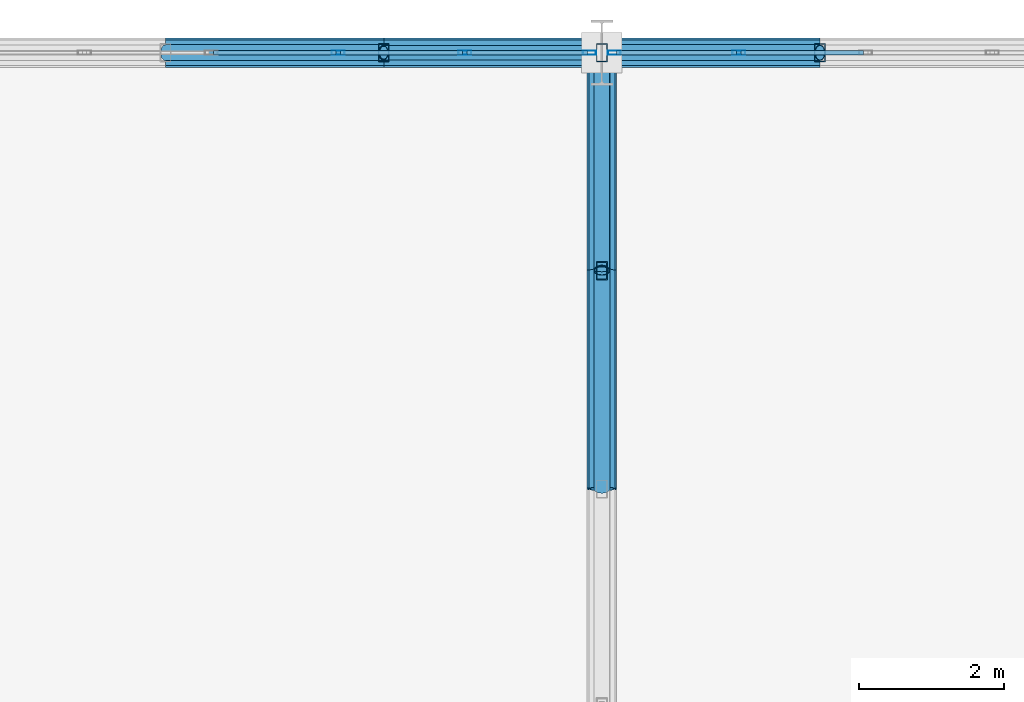
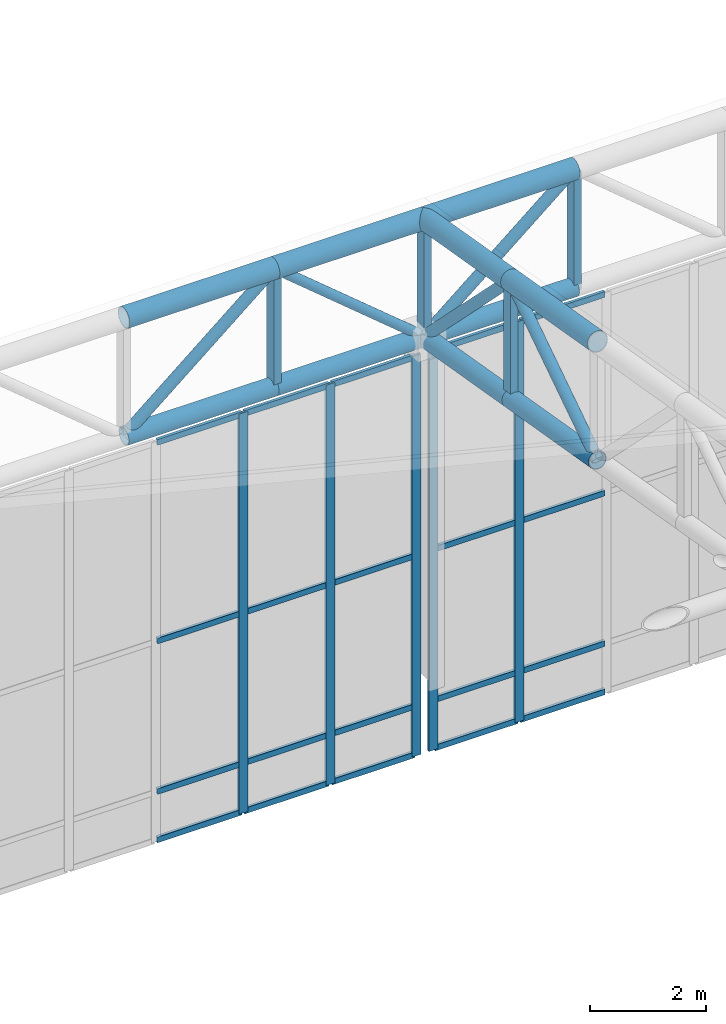
# One storey, part 134 of 239: 44 members, 2 elements without a shape of their own.
"""IFC4 building model written with IfcOpenShell, lengths in metres."""

from ifc_helpers import new_model, si_unit, direction, frame, origin, origin_2d, place, context, subcontext, project, spatial, hollow_rectangle, hollow_circle, extrude, material, material_profile, profile_set, type_object, element, aggregate, save


model = new_model("IFC4")

# Units and contexts
model_context = context("Model", 3, precision=1e-05, world=origin(), true_north=direction((0.0, 1.0)))
body_context = subcontext(model_context, "Body", "Model", "MODEL_VIEW")
ifc_project = project(units=[si_unit("LENGTHUNIT", "METRE"), si_unit("AREAUNIT", "SQUARE_METRE"), si_unit("VOLUMEUNIT", "CUBIC_METRE"), si_unit("PLANEANGLEUNIT", "RADIAN"), si_unit("MASSUNIT", "GRAM", prefix="KILO")], contexts=[model_context])

# Site, building, storey
site_placement = place(None, origin())
site = spatial("IfcSite", under=ifc_project, at=site_placement, CompositionType="ELEMENT")
building_placement = place(site_placement, origin())
building = spatial("IfcBuilding", under=site, at=building_placement, Name="Kaldris Quays Convention Centre", CompositionType="ELEMENT")
storey_placement = place(building_placement, frame((0.0, 0.0, 11.39990234375)))
storey = spatial("IfcBuildingStorey", under=building, at=storey_placement, Name="L02", CompositionType="ELEMENT", Elevation=11.39990234375)

# Curtain wall, members
ifc_material_1 = material(Name="Anodized aluminium AW-6060 and triple glazing", Category="aluminium")
curtain_wall_type = type_object("IfcCurtainWallType", Name="UNITISED CURTAIN WALL CW03", PredefinedType="NOTDEFINED", material=ifc_material_1)
curtain_wall_1_placement = place(storey_placement, origin())
curtain_wall_1 = element("IfcCurtainWall", 1, at=curtain_wall_1_placement, inside=storey, type_object=curtain_wall_type, Name="L02 Unitised Curtain Wall CW03 250", PredefinedType="NOTDEFINED")
ifc_material_2 = material(Name="Anodized aluminium AW-6060", Category="aluminium")
ifc_material_profile_1 = material_profile(ifc_material_2, hollow_rectangle(XDim=0.06005859375, YDim=0.179931640625, WallThickness=0.0048828125, at=origin_2d()), Name="RHS 180x60x5")
ifc_profile_set_1 = profile_set([ifc_material_profile_1], Name="Anodized aluminium AW-6060")
member_type_1 = type_object("IfcMemberType", Name="CURTAIN MULLION CWM2", PredefinedType="MULLION", material=ifc_profile_set_1)
member_1_placement = place(storey_placement, frame((124.3720703125, 140.0, -1.60498046875), z_axis=(0.0, 0.0, 1.0), x_axis=(0.0, 1.0, 0.0)))
member_1 = element("IfcMember", 2, at=member_1_placement, type_object=member_type_1, Name="CW03 mullion 4", PredefinedType="MULLION", context=body_context, shape_type="SweptSolid", body=[
    extrude(hollow_rectangle(XDim=0.06005859375, YDim=0.179931640625, WallThickness=0.0048828125, at=origin_2d()), origin(), (0.0, 0.0, 1.0), 8.455078125),
])
member_2_placement = place(storey_placement, frame((126.115966796875, 140.0, -1.60498046875), z_axis=(0.0, 0.0, 1.0), x_axis=(0.0, 1.0, 0.0)))
member_2 = element("IfcMember", 3, at=member_2_placement, type_object=member_type_1, Name="CW03 mullion 5", PredefinedType="MULLION", context=body_context, shape_type="SweptSolid", body=[
    extrude(hollow_rectangle(XDim=0.06005859375, YDim=0.179931640625, WallThickness=0.0048828125, at=origin_2d()), origin(), (0.0, 0.0, 1.0), 8.455078125),
])
member_3_placement = place(storey_placement, frame((127.830078125, 140.0, -1.60498046875), z_axis=(0.0, 0.0, 1.0), x_axis=(0.0, 1.0, 0.0)))
member_3 = element("IfcMember", 4, at=member_3_placement, type_object=member_type_1, Name="CW03 mullion 6", PredefinedType="MULLION", context=body_context, shape_type="SweptSolid", body=[
    extrude(hollow_rectangle(XDim=0.06005859375, YDim=0.179931640625, WallThickness=0.0048828125, at=origin_2d()), origin(), (0.0, 0.0, 1.0), 8.455078125),
])

curtain_wall_2_placement = place(storey_placement, origin())
curtain_wall_2 = element("IfcCurtainWall", 5, at=curtain_wall_2_placement, inside=storey, type_object=curtain_wall_type, Name="L02 Unitised Curtain Wall CW03 252", PredefinedType="NOTDEFINED")
member_4_placement = place(storey_placement, frame((128.169921875, 140.0, -1.60498046875), z_axis=(0.0, 0.0, 1.0), x_axis=(0.0, 1.0, 0.0)))
member_4 = element("IfcMember", 6, at=member_4_placement, type_object=member_type_1, Name="CW03 mullion 1", PredefinedType="MULLION", context=body_context, shape_type="SweptSolid", body=[
    extrude(hollow_rectangle(XDim=0.06005859375, YDim=0.179931640625, WallThickness=0.0048828125, at=origin_2d()), origin(), (0.0, 0.0, 1.0), 8.455078125),
])
member_5_placement = place(storey_placement, frame((129.884033203125, 140.0, -1.60498046875), z_axis=(0.0, 0.0, 1.0), x_axis=(0.0, 1.0, 0.0)))
member_5 = element("IfcMember", 7, at=member_5_placement, type_object=member_type_1, Name="CW03 mullion 2", PredefinedType="MULLION", context=body_context, shape_type="SweptSolid", body=[
    extrude(hollow_rectangle(XDim=0.06005859375, YDim=0.179931640625, WallThickness=0.0048828125, at=origin_2d()), origin(), (0.0, 0.0, 1.0), 8.455078125),
])

# Member
ifc_material_profile_2 = material_profile(ifc_material_2, hollow_rectangle(XDim=0.06005859375, YDim=0.1201171875, WallThickness=0.00390625, at=origin_2d()), Name="RHS 120x60x4")
ifc_profile_set_2 = profile_set([ifc_material_profile_2], Name="Anodized aluminium AW-6060")
member_type_2 = type_object("IfcMemberType", Name="CURTAIN TRANSOM CWT1", PredefinedType="USERDEFINED", material=ifc_profile_set_2)
member_6_placement = place(storey_placement, frame((122.657958984375, 140.0, -1.574951171875), z_axis=(1.0, 0.0, 0.0), x_axis=(0.0, 1.0, 0.0)))
member_6 = element("IfcMember", 8, at=member_6_placement, type_object=member_type_2, Name="CW03 transom 3.1", ObjectType="TRANSOM", PredefinedType="USERDEFINED", context=body_context, shape_type="SweptSolid", body=[
    extrude(hollow_rectangle(XDim=0.06005859375, YDim=0.1201171875, WallThickness=0.00390625, at=origin_2d()), origin(), (0.0, 0.0, 1.0), 1.68408203125),
])

member_7_placement = place(storey_placement, frame((122.657958984375, 140.0, -0.554931640625), z_axis=(1.0, 0.0, 0.0), x_axis=(0.0, 1.0, 0.0)))
member_7 = element("IfcMember", 9, at=member_7_placement, type_object=member_type_2, Name="CW03 transom 3.2", ObjectType="TRANSOM", PredefinedType="USERDEFINED", context=body_context, shape_type="SweptSolid", body=[
    extrude(hollow_rectangle(XDim=0.06005859375, YDim=0.1201171875, WallThickness=0.00390625, at=origin_2d()), origin(), (0.0, 0.0, 1.0), 1.68408203125),
])

member_8_placement = place(storey_placement, frame((122.657958984375, 140.0, 2.623046875), z_axis=(1.0, 0.0, 0.0), x_axis=(0.0, 1.0, 0.0)))
member_8 = element("IfcMember", 10, at=member_8_placement, type_object=member_type_2, Name="CW03 transom 3.3", ObjectType="TRANSOM", PredefinedType="USERDEFINED", context=body_context, shape_type="SweptSolid", body=[
    extrude(hollow_rectangle(XDim=0.06005859375, YDim=0.1201171875, WallThickness=0.00390625, at=origin_2d()), origin(), (0.0, 0.0, 1.0), 1.68408203125),
])

member_9_placement = place(storey_placement, frame((122.657958984375, 140.0, 6.820068359375), z_axis=(1.0, 0.0, 0.0), x_axis=(0.0, 1.0, 0.0)))
member_9 = element("IfcMember", 11, at=member_9_placement, type_object=member_type_2, Name="CW03 transom 3.4", ObjectType="TRANSOM", PredefinedType="USERDEFINED", context=body_context, shape_type="SweptSolid", body=[
    extrude(hollow_rectangle(XDim=0.06005859375, YDim=0.1201171875, WallThickness=0.00390625, at=origin_2d()), origin(), (0.0, 0.0, 1.0), 1.68408203125),
])

member_10_placement = place(storey_placement, frame((124.402099609375, 140.0, -1.574951171875), z_axis=(1.0, 0.0, 0.0), x_axis=(0.0, 1.0, 0.0)))
member_10 = element("IfcMember", 12, at=member_10_placement, type_object=member_type_2, Name="CW03 transom 4.1", ObjectType="TRANSOM", PredefinedType="USERDEFINED", context=body_context, shape_type="SweptSolid", body=[
    extrude(hollow_rectangle(XDim=0.06005859375, YDim=0.1201171875, WallThickness=0.00390625, at=origin_2d()), origin(), (0.0, 0.0, 1.0), 1.683837890625),
])

member_11_placement = place(storey_placement, frame((124.402099609375, 140.0, -0.554931640625), z_axis=(1.0, 0.0, 0.0), x_axis=(0.0, 1.0, 0.0)))
member_11 = element("IfcMember", 13, at=member_11_placement, type_object=member_type_2, Name="CW03 transom 4.2", ObjectType="TRANSOM", PredefinedType="USERDEFINED", context=body_context, shape_type="SweptSolid", body=[
    extrude(hollow_rectangle(XDim=0.06005859375, YDim=0.1201171875, WallThickness=0.00390625, at=origin_2d()), origin(), (0.0, 0.0, 1.0), 1.683837890625),
])

member_12_placement = place(storey_placement, frame((124.402099609375, 140.0, 2.623046875), z_axis=(1.0, 0.0, 0.0), x_axis=(0.0, 1.0, 0.0)))
member_12 = element("IfcMember", 14, at=member_12_placement, type_object=member_type_2, Name="CW03 transom 4.3", ObjectType="TRANSOM", PredefinedType="USERDEFINED", context=body_context, shape_type="SweptSolid", body=[
    extrude(hollow_rectangle(XDim=0.06005859375, YDim=0.1201171875, WallThickness=0.00390625, at=origin_2d()), origin(), (0.0, 0.0, 1.0), 1.683837890625),
])

member_13_placement = place(storey_placement, frame((124.402099609375, 140.0, 6.820068359375), z_axis=(1.0, 0.0, 0.0), x_axis=(0.0, 1.0, 0.0)))
member_13 = element("IfcMember", 15, at=member_13_placement, type_object=member_type_2, Name="CW03 transom 4.4", ObjectType="TRANSOM", PredefinedType="USERDEFINED", context=body_context, shape_type="SweptSolid", body=[
    extrude(hollow_rectangle(XDim=0.06005859375, YDim=0.1201171875, WallThickness=0.00390625, at=origin_2d()), origin(), (0.0, 0.0, 1.0), 1.683837890625),
])

member_14_placement = place(storey_placement, frame((126.14599609375, 140.0, -1.574951171875), z_axis=(1.0, 0.0, 0.0), x_axis=(0.0, 1.0, 0.0)))
member_14 = element("IfcMember", 16, at=member_14_placement, type_object=member_type_2, Name="CW03 transom 5.1", ObjectType="TRANSOM", PredefinedType="USERDEFINED", context=body_context, shape_type="SweptSolid", body=[
    extrude(hollow_rectangle(XDim=0.06005859375, YDim=0.1201171875, WallThickness=0.00390625, at=origin_2d()), origin(), (0.0, 0.0, 1.0), 1.654052734375),
])

member_15_placement = place(storey_placement, frame((126.14599609375, 140.0, -0.554931640625), z_axis=(1.0, 0.0, 0.0), x_axis=(0.0, 1.0, 0.0)))
member_15 = element("IfcMember", 17, at=member_15_placement, type_object=member_type_2, Name="CW03 transom 5.2", ObjectType="TRANSOM", PredefinedType="USERDEFINED", context=body_context, shape_type="SweptSolid", body=[
    extrude(hollow_rectangle(XDim=0.06005859375, YDim=0.1201171875, WallThickness=0.00390625, at=origin_2d()), origin(), (0.0, 0.0, 1.0), 1.654052734375),
])

member_16_placement = place(storey_placement, frame((126.14599609375, 140.0, 2.623046875), z_axis=(1.0, 0.0, 0.0), x_axis=(0.0, 1.0, 0.0)))
member_16 = element("IfcMember", 18, at=member_16_placement, type_object=member_type_2, Name="CW03 transom 5.3", ObjectType="TRANSOM", PredefinedType="USERDEFINED", context=body_context, shape_type="SweptSolid", body=[
    extrude(hollow_rectangle(XDim=0.06005859375, YDim=0.1201171875, WallThickness=0.00390625, at=origin_2d()), origin(), (0.0, 0.0, 1.0), 1.654052734375),
])

member_17_placement = place(storey_placement, frame((126.14599609375, 140.0, 6.820068359375), z_axis=(1.0, 0.0, 0.0), x_axis=(0.0, 1.0, 0.0)))
member_17 = element("IfcMember", 19, at=member_17_placement, type_object=member_type_2, Name="CW03 transom 5.4", ObjectType="TRANSOM", PredefinedType="USERDEFINED", context=body_context, shape_type="SweptSolid", body=[
    extrude(hollow_rectangle(XDim=0.06005859375, YDim=0.1201171875, WallThickness=0.00390625, at=origin_2d()), origin(), (0.0, 0.0, 1.0), 1.654052734375),
])

aggregate(curtain_wall_1, [member_1, member_2, member_3, member_6, member_7, member_8, member_9, member_10, member_11, member_12, member_13, member_14, member_15, member_16, member_17])

member_18_placement = place(storey_placement, frame((128.199951171875, 140.0, -1.574951171875), z_axis=(1.0, 0.0, 0.0), x_axis=(0.0, 1.0, 0.0)))
member_18 = element("IfcMember", 20, at=member_18_placement, type_object=member_type_2, Name="CW03 transom 1.1", ObjectType="TRANSOM", PredefinedType="USERDEFINED", context=body_context, shape_type="SweptSolid", body=[
    extrude(hollow_rectangle(XDim=0.06005859375, YDim=0.1201171875, WallThickness=0.00390625, at=origin_2d()), origin(), (0.0, 0.0, 1.0), 1.654052734375),
])

member_19_placement = place(storey_placement, frame((128.199951171875, 140.0, -0.554931640625), z_axis=(1.0, 0.0, 0.0), x_axis=(0.0, 1.0, 0.0)))
member_19 = element("IfcMember", 21, at=member_19_placement, type_object=member_type_2, Name="CW03 transom 1.2", ObjectType="TRANSOM", PredefinedType="USERDEFINED", context=body_context, shape_type="SweptSolid", body=[
    extrude(hollow_rectangle(XDim=0.06005859375, YDim=0.1201171875, WallThickness=0.00390625, at=origin_2d()), origin(), (0.0, 0.0, 1.0), 1.654052734375),
])

member_20_placement = place(storey_placement, frame((128.199951171875, 140.0, 2.623046875), z_axis=(1.0, 0.0, 0.0), x_axis=(0.0, 1.0, 0.0)))
member_20 = element("IfcMember", 22, at=member_20_placement, type_object=member_type_2, Name="CW03 transom 1.3", ObjectType="TRANSOM", PredefinedType="USERDEFINED", context=body_context, shape_type="SweptSolid", body=[
    extrude(hollow_rectangle(XDim=0.06005859375, YDim=0.1201171875, WallThickness=0.00390625, at=origin_2d()), origin(), (0.0, 0.0, 1.0), 1.654052734375),
])

member_21_placement = place(storey_placement, frame((128.199951171875, 140.0, 6.820068359375), z_axis=(1.0, 0.0, 0.0), x_axis=(0.0, 1.0, 0.0)))
member_21 = element("IfcMember", 23, at=member_21_placement, type_object=member_type_2, Name="CW03 transom 1.4", ObjectType="TRANSOM", PredefinedType="USERDEFINED", context=body_context, shape_type="SweptSolid", body=[
    extrude(hollow_rectangle(XDim=0.06005859375, YDim=0.1201171875, WallThickness=0.00390625, at=origin_2d()), origin(), (0.0, 0.0, 1.0), 1.654052734375),
])

member_22_placement = place(storey_placement, frame((129.9140625, 140.0, -1.574951171875), z_axis=(1.0, 0.0, 0.0), x_axis=(0.0, 1.0, 0.0)))
member_22 = element("IfcMember", 24, at=member_22_placement, type_object=member_type_2, Name="CW03 transom 2.1", ObjectType="TRANSOM", PredefinedType="USERDEFINED", context=body_context, shape_type="SweptSolid", body=[
    extrude(hollow_rectangle(XDim=0.06005859375, YDim=0.1201171875, WallThickness=0.00390625, at=origin_2d()), origin(), (0.0, 0.0, 1.0), 1.683837890625),
])

member_23_placement = place(storey_placement, frame((129.9140625, 140.0, -0.554931640625), z_axis=(1.0, 0.0, 0.0), x_axis=(0.0, 1.0, 0.0)))
member_23 = element("IfcMember", 25, at=member_23_placement, type_object=member_type_2, Name="CW03 transom 2.2", ObjectType="TRANSOM", PredefinedType="USERDEFINED", context=body_context, shape_type="SweptSolid", body=[
    extrude(hollow_rectangle(XDim=0.06005859375, YDim=0.1201171875, WallThickness=0.00390625, at=origin_2d()), origin(), (0.0, 0.0, 1.0), 1.683837890625),
])

member_24_placement = place(storey_placement, frame((129.9140625, 140.0, 2.623046875), z_axis=(1.0, 0.0, 0.0), x_axis=(0.0, 1.0, 0.0)))
member_24 = element("IfcMember", 26, at=member_24_placement, type_object=member_type_2, Name="CW03 transom 2.3", ObjectType="TRANSOM", PredefinedType="USERDEFINED", context=body_context, shape_type="SweptSolid", body=[
    extrude(hollow_rectangle(XDim=0.06005859375, YDim=0.1201171875, WallThickness=0.00390625, at=origin_2d()), origin(), (0.0, 0.0, 1.0), 1.683837890625),
])

member_25_placement = place(storey_placement, frame((129.9140625, 140.0, 6.820068359375), z_axis=(1.0, 0.0, 0.0), x_axis=(0.0, 1.0, 0.0)))
member_25 = element("IfcMember", 27, at=member_25_placement, type_object=member_type_2, Name="CW03 transom 2.4", ObjectType="TRANSOM", PredefinedType="USERDEFINED", context=body_context, shape_type="SweptSolid", body=[
    extrude(hollow_rectangle(XDim=0.06005859375, YDim=0.1201171875, WallThickness=0.00390625, at=origin_2d()), origin(), (0.0, 0.0, 1.0), 1.683837890625),
])

aggregate(curtain_wall_2, [member_4, member_5, member_18, member_19, member_20, member_21, member_22, member_23, member_24, member_25])

# Members
ifc_material_3 = material(Name="Steel S355J2H", Category="steel")
ifc_material_profile_3 = material_profile(ifc_material_3, hollow_circle(Radius=0.203125, WallThickness=0.01611328125, at=origin_2d()), Name="CHS 406.4x16")
ifc_profile_set_3 = profile_set([ifc_material_profile_3], Name="Steel S355J2H")
member_type_3 = type_object("IfcMemberType", Name="STRUCTURAL MEMBER SC01", PredefinedType="CHORD", material=ifc_profile_set_3)
for number, where, z_axis, x_axis, name in (
    (28, (122.0, 140.0, 9.671875), (1.0, 0.0, 0.0), (0.0, 1.0, 0.0), "SF-V1 Top Chord X 329"),
    (29, (125.0, 140.0, 9.671875), (1.0, 0.0, 0.0), (0.0, 1.0, 0.0), "SF-V1 Top Chord X 330"),
    (30, (128.0, 140.0, 9.671875), (1.0, 0.0, 0.0), (0.0, 1.0, 0.0), "SF-V1 Top Chord X 331"),
):
    element("IfcMember", number, at=place(storey_placement, frame(where, z_axis=z_axis, x_axis=x_axis)), inside=storey, type_object=member_type_3, Name=name, PredefinedType="CHORD", context=body_context, shape_type="SweptSolid", body=[
        extrude(hollow_circle(Radius=0.203125, WallThickness=0.01611328125, at=origin_2d()), origin(), (0.0, 0.0, 1.0), 3.0),
    ])
for number, where, z_axis, x_axis, name in (
    (31, (128.0, 134.0, 10.700439453125), (0.0, 0.98562912375, -0.168923741424), (-1.0, 0.0, 0.0), "SF-V1 Top Chord Y 531"),
    (32, (128.0, 137.0, 10.186279296875), (0.0, 0.985615766076, -0.169001661712), (-1.0, 0.0, 0.0), "SF-V1 Top Chord Y 532"),
):
    element("IfcMember", number, at=place(storey_placement, frame(where, z_axis=z_axis, x_axis=x_axis)), inside=storey, type_object=member_type_3, Name=name, PredefinedType="CHORD", context=body_context, shape_type="SweptSolid", body=[
        extrude(hollow_circle(Radius=0.203125, WallThickness=0.01611328125, at=origin_2d()), origin(), (0.0, 0.0, 1.0), 3.043701171875),
    ])
ifc_material_profile_4 = material_profile(ifc_material_3, hollow_circle(Radius=0.177734375, WallThickness=0.01611328125, at=origin_2d()), Name="CHS 355.6x16")
ifc_profile_set_4 = profile_set([ifc_material_profile_4], Name="Steel S355J2H")
member_type_4 = type_object("IfcMemberType", Name="STRUCTURAL MEMBER SC02", PredefinedType="CHORD", material=ifc_profile_set_4)
for number, where, z_axis, x_axis, name in (
    (33, (122.0, 140.0, 7.171875), (1.0, 0.0, 0.0), (0.0, 1.0, 0.0), "SF-V1 Bottom Chord X 329"),
    (34, (125.0, 140.0, 7.171875), (1.0, 0.0, 0.0), (0.0, 1.0, 0.0), "SF-V1 Bottom Chord X 330"),
    (35, (128.0, 140.0, 7.171875), (1.0, 0.0, 0.0), (0.0, 1.0, 0.0), "SF-V1 Bottom Chord X 331"),
):
    element("IfcMember", number, at=place(storey_placement, frame(where, z_axis=z_axis, x_axis=x_axis)), inside=storey, type_object=member_type_4, Name=name, PredefinedType="CHORD", context=body_context, shape_type="SweptSolid", body=[
        extrude(hollow_circle(Radius=0.177734375, WallThickness=0.01611328125, at=origin_2d()), origin(), (0.0, 0.0, 1.0), 3.0),
    ])
for number, where, z_axis, x_axis, name in (
    (36, (128.0, 134.0, 8.200439453125), (0.0, 0.98562912375, -0.168923741424), (-1.0, 0.0, 0.0), "SF-V1 Bottom Chord Y 531"),
    (37, (128.0, 137.0, 7.686279296875), (0.0, 0.985615766076, -0.169001661712), (-1.0, 0.0, 0.0), "SF-V1 Bottom Chord Y 532"),
):
    element("IfcMember", number, at=place(storey_placement, frame(where, z_axis=z_axis, x_axis=x_axis)), inside=storey, type_object=member_type_4, Name=name, PredefinedType="CHORD", context=body_context, shape_type="SweptSolid", body=[
        extrude(hollow_circle(Radius=0.177734375, WallThickness=0.01611328125, at=origin_2d()), origin(), (0.0, 0.0, 1.0), 3.043701171875),
    ])
ifc_material_profile_5 = material_profile(ifc_material_3, hollow_circle(Radius=0.109619140625, WallThickness=0.010009765625, at=origin_2d()), Name="CHS 219.1x10")
ifc_profile_set_5 = profile_set([ifc_material_profile_5], Name="Steel S355J2H")
member_type_5 = type_object("IfcMemberType", Name="STRUCTURAL MEMBER SWB1", PredefinedType="BRACE", material=ifc_profile_set_5)
for number, where, z_axis, x_axis, name in (
    (38, (122.0, 140.0, 7.171875), (0.768221279597, 0.0, 0.640184399664), (0.0, 1.0, 0.0), "SF-V1 Web Diagonal X 329"),
    (39, (128.0, 140.0, 7.171875), (0.768221279597, 0.0, 0.640184399664), (0.0, 1.0, 0.0), "SF-V1 Web Diagonal X 331"),
):
    element("IfcMember", number, at=place(storey_placement, frame(where, z_axis=z_axis, x_axis=x_axis)), inside=storey, type_object=member_type_5, Name=name, PredefinedType="BRACE", context=body_context, shape_type="SweptSolid", body=[
        extrude(hollow_circle(Radius=0.109619140625, WallThickness=0.010009765625, at=origin_2d()), origin(), (0.0, 0.0, 1.0), 3.905029296875),
    ])
member_26_placement = place(storey_placement, frame((128.0, 134.0, 8.200439453125), z_axis=(0.0, 0.833862389808, 0.551972385962), x_axis=(-1.0, 0.0, 0.0)))
element("IfcMember", 40, at=member_26_placement, inside=storey, type_object=member_type_5, Name="SF-V1 Web Diagonal Y 531", PredefinedType="BRACE", context=body_context, shape_type="SweptSolid", body=[
    extrude(hollow_circle(Radius=0.109619140625, WallThickness=0.010009765625, at=origin_2d()), origin(), (0.0, 0.0, 1.0), 3.59765625),
])
member_27_placement = place(storey_placement, frame((128.0, 140.0, 7.171875), z_axis=(0.0, -0.705411261057, 0.708798245465), x_axis=(1.0, 0.0, 0.0)))
element("IfcMember", 41, at=member_27_placement, inside=storey, type_object=member_type_5, Name="SF-V1 Web Diagonal Y 532", PredefinedType="BRACE", context=body_context, shape_type="SweptSolid", body=[
    extrude(hollow_circle(Radius=0.109619140625, WallThickness=0.010009765625, at=origin_2d()), origin(), (0.0, 0.0, 1.0), 4.2529296875),
])
ifc_material_profile_6 = material_profile(ifc_material_3, hollow_circle(Radius=0.096923828125, WallThickness=0.008056640625, at=origin_2d()), Name="CHS 193.7x8")
ifc_profile_set_6 = profile_set([ifc_material_profile_6], Name="Steel S355J2H")
member_type_6 = type_object("IfcMemberType", Name="STRUCTURAL MEMBER SWB3", PredefinedType="BRACE", material=ifc_profile_set_6)
member_28_placement = place(storey_placement, frame((128.0, 140.0, 7.171875), z_axis=(-0.768221279597, 0.0, 0.640184399664), x_axis=(0.0, -1.0, 0.0)))
element("IfcMember", 42, at=member_28_placement, inside=storey, type_object=member_type_6, Name="SF-V1 Web Diagonal X 330", PredefinedType="BRACE", context=body_context, shape_type="SweptSolid", body=[
    extrude(hollow_circle(Radius=0.096923828125, WallThickness=0.008056640625, at=origin_2d()), origin(), (0.0, 0.0, 1.0), 3.905029296875),
])
ifc_material_profile_7 = material_profile(ifc_material_3, hollow_rectangle(XDim=0.14990234375, YDim=0.25, WallThickness=0.010009765625, at=origin_2d()), Name="RHS 250x150x10")
ifc_profile_set_7 = profile_set([ifc_material_profile_7], Name="Steel S355J2H")
member_type_7 = type_object("IfcMemberType", Name="STRUCTURAL MEMBER TTV1", PredefinedType="POST", material=ifc_profile_set_7)
for number, where, z_axis, x_axis, name in (
    (43, (125.0, 140.0, 7.171875), (0.0, 0.0, 1.0), (1.0, 0.0, 0.0), "SF-V1 Space-Frame Post 414"),
    (44, (128.0, 137.0, 7.686279296875), (0.0, 0.0, 1.0), (1.0, 0.0, 0.0), "SF-V1 Space-Frame Post 442"),
):
    element("IfcMember", number, at=place(storey_placement, frame(where, z_axis=z_axis, x_axis=x_axis)), inside=storey, type_object=member_type_7, Name=name, PredefinedType="POST", context=body_context, shape_type="SweptSolid", body=[
        extrude(hollow_rectangle(XDim=0.14990234375, YDim=0.25, WallThickness=0.010009765625, at=origin_2d()), origin(), (0.0, 0.0, 1.0), 2.5),
    ])
member_29_placement = place(storey_placement, frame((128.0, 140.0, 6.994140625), z_axis=(0.0, 0.0, 1.0), x_axis=(1.0, 0.0, 0.0)))
element("IfcMember", 45, at=member_29_placement, inside=storey, type_object=member_type_7, Name="SF-V1 Space-Frame Post 443", PredefinedType="POST", context=body_context, shape_type="SweptSolid", body=[
    extrude(hollow_rectangle(XDim=0.14990234375, YDim=0.25, WallThickness=0.010009765625, at=origin_2d()), origin(), (0.0, 0.0, 1.0), 2.677734375),
])
member_30_placement = place(storey_placement, frame((131.0, 140.0, 7.171875), z_axis=(0.0, 0.0, 1.0), x_axis=(1.0, 0.0, 0.0)))
element("IfcMember", 46, at=member_30_placement, inside=storey, type_object=member_type_7, Name="SF-V1 Space-Frame Post 451", PredefinedType="POST", context=body_context, shape_type="SweptSolid", body=[
    extrude(hollow_rectangle(XDim=0.14990234375, YDim=0.25, WallThickness=0.010009765625, at=origin_2d()), origin(), (0.0, 0.0, 1.0), 2.5),
])

save(model, "model.ifc")
